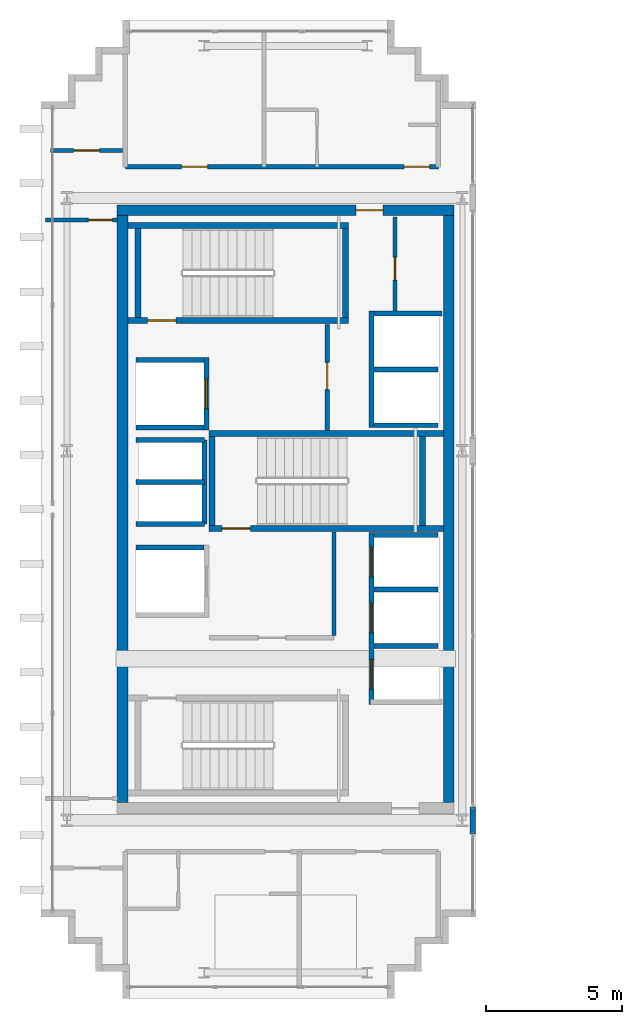
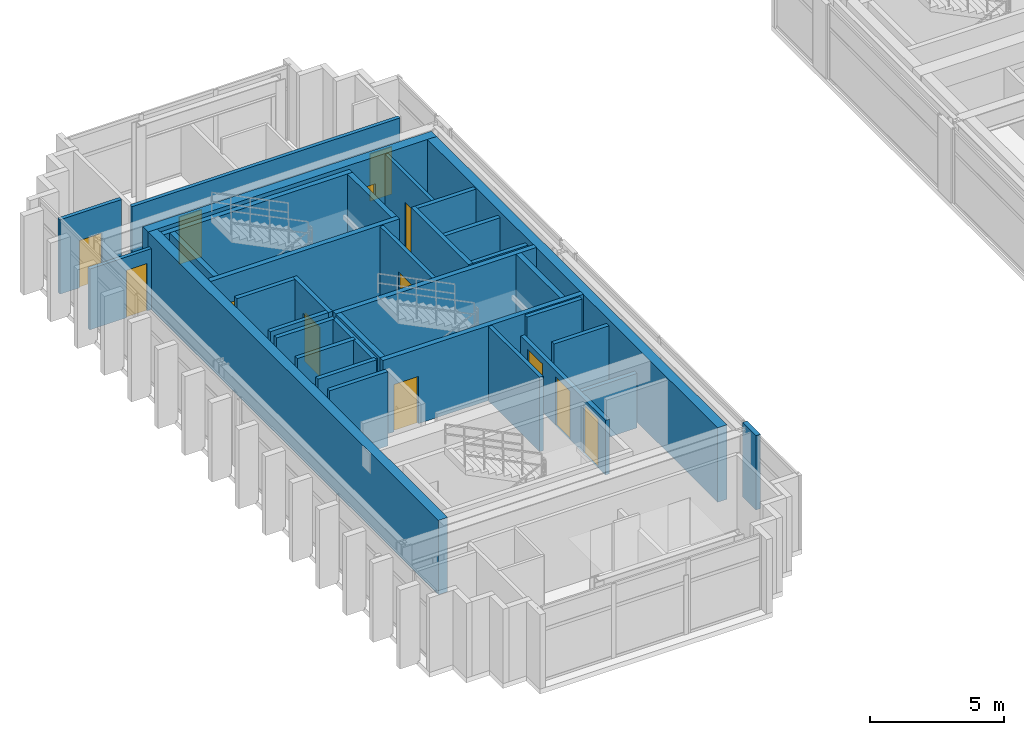
# One storey, part 20 of 25: 34 walls, 13 doors, 13 openings.
"""IFC4 building model written with IfcOpenShell, lengths in metres."""

from ifc_helpers import new_model, si_unit, direction, frame, frame_2d, origin, place, context, subcontext, project, spatial, rectangle, extrude, source, transform, mapped, material, layer, layer_set, type_object, element, fill, save


model = new_model("IFC4")

# Units and contexts
model_context = context("Model", 3, precision=1e-05, world=origin(), true_north=direction((0.0, 1.0)))
body_context = subcontext(model_context, "Body", "Model", "MODEL_VIEW")
ifc_project = project(units=[si_unit("LENGTHUNIT", "METRE"), si_unit("AREAUNIT", "SQUARE_METRE"), si_unit("VOLUMEUNIT", "CUBIC_METRE"), si_unit("PLANEANGLEUNIT", "RADIAN"), si_unit("MASSUNIT", "GRAM", prefix="KILO")], contexts=[model_context])

# Site, building, storey
site_placement = place(None, origin())
site = spatial("IfcSite", under=ifc_project, at=site_placement, CompositionType="ELEMENT")
building_placement = place(site_placement, origin())
building = spatial("IfcBuilding", under=site, at=building_placement, Name="Ocotamira Hotel", CompositionType="ELEMENT")
storey_placement = place(building_placement, frame((0.0, 0.0, 258.0)))
storey = spatial("IfcBuildingStorey", under=building, at=storey_placement, Name="L65", CompositionType="ELEMENT", Elevation=258.0)

# Wall, opening, door
ifc_material_1 = material(Name="Concrete C50/60", Category="concrete")
ifc_layer_1 = layer(ifc_material_1, 0.39990234375)
ifc_layer_set_1 = layer_set([ifc_layer_1], Name="Concrete C50/60")
wall_type_1 = type_object("IfcWallType", Name="WL-CORE-400", PredefinedType="SHEAR", material=ifc_layer_set_1)
wall_1_placement = place(storey_placement, frame((10.800048828125, 37.0, 0.0), z_axis=(0.0, 0.0, 1.0), x_axis=(1.0, 0.0, 0.0)))
wall_1 = element("IfcWall", 1, at=wall_1_placement, inside=storey, type_object=wall_type_1, Name="L65 Shear Core Wall WCORE-N", PredefinedType="SHEAR", context=body_context, shape_type="SweptSolid", body=[
    extrude(rectangle(XDim=12.39990234375, YDim=0.39990234375, at=frame_2d((6.199951171875, 0.0))), origin(), (0.0, 0.0, 1.0), 3.3798828125),
])
opening_1_placement = place(wall_1_placement, frame((8.780029296875, 0.0, 0.0)))
opening_1 = element("IfcOpeningElement", 2, at=opening_1_placement, cuts=wall_1, Name="Opening D-FR2", PredefinedType="OPENING", context=body_context, shape_type="SweptSolid", body=[
    extrude(rectangle(XDim=1.0, YDim=2.14990234375, at=frame_2d((0.5, 1.074951171875))), frame((0.0, 0.2099609375, 0.0), z_axis=(0.0, -1.0, 0.0), x_axis=(1.0, 0.0, 0.0)), (0.0, 0.0, 1.0), 0.419921875),
])
ifc_material_2 = material(Name="Fire-rated acoustic timber-veneer door", Category="wood")
door_type_1 = type_object("IfcDoorType", Name="DR-FIRE-1000", OperationType="NOTDEFINED", PredefinedType="DOOR", material=ifc_material_2)
shared_shape_1 = source(origin(), body_context, "Body", "SweptSolid", [
    extrude(rectangle(XDim=1.0, YDim=2.14990234375, at=frame_2d((0.5, 1.074951171875))), frame((0.0, 0.02490234375, 0.0), z_axis=(0.0, -1.0, 0.0), x_axis=(1.0, 0.0, 0.0)), (0.0, 0.0, 1.0), 0.050048828125),
])
door_1_placement = place(opening_1_placement, origin())
door_1 = element("IfcDoor", 3, at=door_1_placement, inside=storey, type_object=door_type_1, Name="L65 Door ID-L65-WLOB-N-D [ID-L65-WLOB-N-D]", OperationType="SINGLE_SWING_RIGHT", OverallHeight=2.14990234375, OverallWidth=1.0, PredefinedType="DOOR", context=body_context, shape_type="MappedRepresentation", body=[
    mapped(shared_shape_1, transform((0.0, 0.0, 0.0), scale=1.0)),
])
fill(opening_1, door_1)

# Walls
for number, where, z_axis, x_axis, name in (
    (4, (11.0, 15.199951171875, 0.0), (0.0, 0.0, 1.0), (0.0, 1.0, 0.0), "L65 Shear Core Wall WCORE-W"),
    (5, (23.0, 15.199951171875, 0.0), (0.0, 0.0, 1.0), (0.0, 1.0, 0.0), "L65 Shear Core Wall WCORE-E"),
):
    element("IfcWall", number, at=place(storey_placement, frame(where, z_axis=z_axis, x_axis=x_axis)), inside=storey, type_object=wall_type_1, Name=name, PredefinedType="SHEAR", context=body_context, shape_type="SweptSolid", body=[
        extrude(rectangle(XDim=21.60009765625, YDim=0.39990234375, at=frame_2d((10.800048828125, 0.0))), origin(), (0.0, 0.0, 1.0), 3.3798828125),
    ])
ifc_material_3 = material(Name="Acoustic double-layer fire gypsum board partition", Category="gypsum")
ifc_layer_2 = layer(ifc_material_3, 0.159912109375)
ifc_layer_set_2 = layer_set([ifc_layer_2], Name="Acoustic double-layer fire gypsum board partition")
wall_type_2 = type_object("IfcWallType", Name="WL-FIRE-160", PredefinedType="PARTITIONING", material=ifc_layer_set_2)
wall_2_placement = place(storey_placement, frame((18.780029296875, 21.35009765625, 0.0), z_axis=(0.0, 0.0, 1.0), x_axis=(0.0, 1.0, 0.0)))
element("IfcWall", 6, at=wall_2_placement, inside=storey, type_object=wall_type_2, Name="L65 Interior Wall PW-L65-FSAE1-E", PredefinedType="PARTITIONING", context=body_context, shape_type="SweptSolid", body=[
    extrude(rectangle(XDim=3.809814453125, YDim=0.159912109375, at=frame_2d((1.90478515625, 0.0))), origin(), (0.0, 0.0, 1.0), 3.3798828125),
])

# Wall, opening, door
wall_3_placement = place(storey_placement, frame((18.530029296875, 28.89990234375, 0.0), z_axis=(0.0, 0.0, 1.0), x_axis=(0.0, 1.0, 0.0)))
wall_3 = element("IfcWall", 7, at=wall_3_placement, inside=storey, type_object=wall_type_2, Name="L65 Interior Wall PW-L65-FSAE2-E", PredefinedType="PARTITIONING", context=body_context, shape_type="SweptSolid", body=[
    extrude(rectangle(XDim=3.900146484375, YDim=0.159912109375, at=frame_2d((1.9501953125, 0.0))), origin(), (0.0, 0.0, 1.0), 3.3798828125),
])
opening_2_placement = place(wall_3_placement, frame((1.5, 0.0, 0.0)))
opening_2 = element("IfcOpeningElement", 8, at=opening_2_placement, cuts=wall_3, Name="Opening D-FR2", PredefinedType="OPENING", context=body_context, shape_type="SweptSolid", body=[
    extrude(rectangle(XDim=1.0, YDim=2.14990234375, at=frame_2d((0.5, 1.074951171875))), frame((0.0, 0.08984375, 0.0), z_axis=(0.0, -1.0, 0.0), x_axis=(1.0, 0.0, 0.0)), (0.0, 0.0, 1.0), 0.179931640625),
])
door_2_placement = place(opening_2_placement, origin())
door_2 = element("IfcDoor", 9, at=door_2_placement, inside=storey, type_object=door_type_1, Name="L65 Door ID-L65-FSAE2-D [ID-L65-FSAE2-D]", OperationType="SINGLE_SWING_RIGHT", OverallHeight=2.14990234375, OverallWidth=1.0, PredefinedType="DOOR", context=body_context, shape_type="MappedRepresentation", body=[
    mapped(shared_shape_1, transform((0.0, 0.0, 0.0), scale=1.0)),
])
fill(opening_2, door_2)

# Wall, openings, doors
wall_4_placement = place(storey_placement, frame((11.10009765625, 38.60009765625, 0.0), z_axis=(0.0, 0.0, 1.0), x_axis=(1.0, 0.0, 0.0)))
wall_4 = element("IfcWall", 10, at=wall_4_placement, inside=storey, type_object=wall_type_2, Name="L65 Interior Wall PW-L65-SPW1N-CORRW", PredefinedType="PARTITIONING", context=body_context, shape_type="SweptSolid", body=[
    extrude(rectangle(XDim=11.52001953125, YDim=0.159912109375, at=frame_2d((5.760009765625, 0.0))), origin(), (0.0, 0.0, 1.0), 3.3798828125),
])
opening_3_placement = place(wall_4_placement, frame((2.070068359375, 0.0, 0.0)))
opening_3 = element("IfcOpeningElement", 11, at=opening_3_placement, cuts=wall_4, Name="Opening D-SV4", PredefinedType="OPENING", context=body_context, shape_type="SweptSolid", body=[
    extrude(rectangle(XDim=0.9599609375, YDim=2.14990234375, at=frame_2d((0.47998046875, 1.074951171875))), frame((0.0, 0.08984375, 0.0), z_axis=(0.0, -1.0, 0.0), x_axis=(1.0, 0.0, 0.0)), (0.0, 0.0, 1.0), 0.179931640625),
])
opening_4_placement = place(wall_4_placement, frame((10.260009765625, 0.0, 0.0)))
opening_4 = element("IfcOpeningElement", 12, at=opening_4_placement, cuts=wall_4, Name="Opening D-GR1", PredefinedType="OPENING", context=body_context, shape_type="SweptSolid", body=[
    extrude(rectangle(XDim=0.93994140625, YDim=2.14990234375, at=frame_2d((0.469970703125, 1.074951171875))), frame((0.0, 0.08984375, 0.0), z_axis=(0.0, -1.0, 0.0), x_axis=(1.0, 0.0, 0.0)), (0.0, 0.0, 1.0), 0.179931640625),
])
ifc_material_4 = material(Name="Fire-rated accessible walnut salon door", Category="wood")
door_type_2 = type_object("IfcDoorType", Name="DR-SERV-960", OperationType="NOTDEFINED", PredefinedType="DOOR", material=ifc_material_4)
shared_shape_2 = source(origin(), body_context, "Body", "SweptSolid", [
    extrude(rectangle(XDim=0.9599609375, YDim=2.14990234375, at=frame_2d((0.47998046875, 1.074951171875))), frame((0.0, 0.02490234375, 0.0), z_axis=(0.0, -1.0, 0.0), x_axis=(1.0, 0.0, 0.0)), (0.0, 0.0, 1.0), 0.050048828125),
])
door_3_placement = place(opening_3_placement, origin())
door_3 = element("IfcDoor", 13, at=door_3_placement, inside=storey, type_object=door_type_2, Name="L65 Door ID-L65-SPW1N-AMD1 [ID-L65-SPW1N-AMD1]", OperationType="SINGLE_SWING_LEFT", OverallHeight=2.14990234375, OverallWidth=0.9599609375, PredefinedType="DOOR", context=body_context, shape_type="MappedRepresentation", body=[
    mapped(shared_shape_2, transform((0.0, 0.0, 0.0), scale=1.0)),
])
fill(opening_3, door_3)
ifc_material_5 = material(Name="Solid-core walnut suite entrance fire door", Category="wood")
door_type_3 = type_object("IfcDoorType", Name="DR-GUEST-940", OperationType="NOTDEFINED", PredefinedType="DOOR", material=ifc_material_5)
shared_shape_3 = source(origin(), body_context, "Body", "SweptSolid", [
    extrude(rectangle(XDim=0.93994140625, YDim=2.14990234375, at=frame_2d((0.469970703125, 1.074951171875))), frame((0.0, 0.02490234375, 0.0), z_axis=(0.0, -1.0, 0.0), x_axis=(1.0, 0.0, 0.0)), (0.0, 0.0, 1.0), 0.050048828125),
])
door_4_placement = place(opening_4_placement, origin())
door_4 = element("IfcDoor", 14, at=door_4_placement, inside=storey, type_object=door_type_3, Name="L65 Door ID-L65-SPW1N-RMD2 [ID-L65-SPW1N-RMD2]", OperationType="SINGLE_SWING_RIGHT", OverallHeight=2.14990234375, OverallWidth=0.93994140625, PredefinedType="DOOR", context=body_context, shape_type="MappedRepresentation", body=[
    mapped(shared_shape_3, transform((0.0, 0.0, 0.0), scale=1.0)),
])
fill(opening_4, door_4)

# Wall, opening, door
wall_5_placement = place(storey_placement, frame((8.35009765625, 39.199951171875, 0.0), z_axis=(0.0, 0.0, 1.0), x_axis=(1.0, 0.0, 0.0)))
wall_5 = element("IfcWall", 15, at=wall_5_placement, inside=storey, type_object=wall_type_2, Name="L65 Interior Wall PW-L65-SPCNW1-CW", PredefinedType="PARTITIONING", context=body_context, shape_type="SweptSolid", body=[
    extrude(rectangle(XDim=2.64990234375, YDim=0.159912109375, at=frame_2d((1.324951171875, 0.0))), origin(), (0.0, 0.0, 1.0), 3.3798828125),
])
opening_5_placement = place(wall_5_placement, frame((0.844970703125, 0.0, 0.0)))
opening_5 = element("IfcOpeningElement", 16, at=opening_5_placement, cuts=wall_5, Name="Opening D-SV4", PredefinedType="OPENING", context=body_context, shape_type="SweptSolid", body=[
    extrude(rectangle(XDim=0.9599609375, YDim=2.14990234375, at=frame_2d((0.47998046875, 1.074951171875))), frame((0.0, 0.08984375, 0.0), z_axis=(0.0, -1.0, 0.0), x_axis=(1.0, 0.0, 0.0)), (0.0, 0.0, 1.0), 0.179931640625),
])
door_5_placement = place(opening_5_placement, origin())
door_5 = element("IfcDoor", 17, at=door_5_placement, inside=storey, type_object=door_type_2, Name="L65 Door ID-L65-SPCNW1-CD [ID-L65-SPCNW1-CD]", OperationType="SINGLE_SWING_LEFT", OverallHeight=2.14990234375, OverallWidth=0.9599609375, PredefinedType="DOOR", context=body_context, shape_type="MappedRepresentation", body=[
    mapped(shared_shape_2, transform((0.0, 0.0, 0.0), scale=1.0)),
])
fill(opening_5, door_5)

# Wall
ifc_material_6 = material(Name="Precast concrete C45/55", Category="concrete")
ifc_layer_3 = layer(ifc_material_6, 0.219970703125)
ifc_layer_set_3 = layer_set([ifc_layer_3], Name="Precast concrete C45/55")
wall_type_3 = type_object("IfcWallType", Name="WL-PARA-220", PredefinedType="PARAPET", material=ifc_layer_set_3)
wall_6_placement = place(storey_placement, frame((23.8798828125, 14.050048828125, 0.0), z_axis=(0.0, 0.0, 1.0), x_axis=(0.0, 1.0, 0.0)))
element("IfcWall", 18, at=wall_6_placement, inside=storey, type_object=wall_type_3, Name="L65 Split-Wing Column Spandrel Closure W1", PredefinedType="PARAPET", context=body_context, shape_type="SweptSolid", body=[
    extrude(rectangle(XDim=1.0, YDim=0.199951171875, at=frame_2d((0.5, 0.0))), origin(), (0.0, 0.0, 1.0), 3.3798828125),
])

# Wall, opening, door
ifc_material_7 = material(Name="Acoustic hospitality gypsum board partition", Category="gypsum")
ifc_layer_4 = layer(ifc_material_7, 0.14208984375)
ifc_layer_set_4 = layer_set([ifc_layer_4], Name="Acoustic hospitality gypsum board partition")
wall_type_4 = type_object("IfcWallType", Name="WL-PART-142", PredefinedType="PARTITIONING", material=ifc_layer_set_4)
wall_7_placement = place(storey_placement, frame((21.02001953125, 33.280029296875, 0.0), z_axis=(0.0, 0.0, 1.0), x_axis=(0.0, 1.0, 0.0)))
wall_7 = element("IfcWall", 19, at=wall_7_placement, inside=storey, type_object=wall_type_4, Name="L65 Interior Wall PW-L65-WC-NE-W", PredefinedType="PARTITIONING", context=body_context, shape_type="SweptSolid", body=[
    extrude(rectangle(XDim=3.469970703125, YDim=0.14208984375, at=frame_2d((1.73486328125, 0.0))), origin(), (0.0, 0.0, 1.0), 3.3798828125),
])
opening_6_placement = place(wall_7_placement, frame((1.14990234375, 0.0, 0.0)))
opening_6 = element("IfcOpeningElement", 20, at=opening_6_placement, cuts=wall_7, Name="Opening D-SV1", PredefinedType="OPENING", context=body_context, shape_type="SweptSolid", body=[
    extrude(rectangle(XDim=0.840087890625, YDim=2.10009765625, at=frame_2d((0.419921875, 1.050048828125))), frame((0.0, 0.0810546875, 0.0), z_axis=(0.0, -1.0, 0.0), x_axis=(1.0, 0.0, 0.0)), (0.0, 0.0, 1.0), 0.162109375),
])
ifc_material_8 = material(Name="Fire-rated painted steel service door", Category="steel")
door_type_4 = type_object("IfcDoorType", Name="DR-SERV-840", OperationType="NOTDEFINED", PredefinedType="DOOR", material=ifc_material_8)
shared_shape_4 = source(origin(), body_context, "Body", "SweptSolid", [
    extrude(rectangle(XDim=0.840087890625, YDim=2.10009765625, at=frame_2d((0.419921875, 1.050048828125))), frame((0.0, 0.02490234375, 0.0), z_axis=(0.0, -1.0, 0.0), x_axis=(1.0, 0.0, 0.0)), (0.0, 0.0, 1.0), 0.050048828125),
])
door_6_placement = place(opening_6_placement, origin())
door_6 = element("IfcDoor", 21, at=door_6_placement, inside=storey, type_object=door_type_4, Name="L65 Door ID-L65-WC-NE-D [ID-L65-WC-NE-D]", OperationType="SINGLE_SWING_LEFT", OverallHeight=2.10009765625, OverallWidth=0.840087890625, PredefinedType="DOOR", context=body_context, shape_type="MappedRepresentation", body=[
    mapped(shared_shape_4, transform((0.0, 0.0, 0.0), scale=1.0)),
])
fill(opening_6, door_6)

ifc_layer_5 = layer(ifc_material_7, 0.14990234375)
ifc_layer_set_5 = layer_set([ifc_layer_5], Name="Acoustic hospitality gypsum board partition")
wall_type_5 = type_object("IfcWallType", Name="WL-PART-150", PredefinedType="PARTITIONING", material=ifc_layer_set_5)
wall_8_placement = place(storey_placement, frame((8.159912109375, 36.639892578125, 0.0), z_axis=(0.0, 0.0, 1.0), x_axis=(1.0, 0.0, 0.0)))
wall_8 = element("IfcWall", 22, at=wall_8_placement, inside=storey, type_object=wall_type_5, Name="L65 Interior Wall PW-L65-SP1W-WN", PredefinedType="PARTITIONING", context=body_context, shape_type="SweptSolid", body=[
    extrude(rectangle(XDim=2.66015625, YDim=0.14990234375, at=frame_2d((1.330078125, 0.0))), origin(), (0.0, 0.0, 1.0), 2.762939453125),
])
opening_7_placement = place(wall_8_placement, frame((1.580078125, 0.0, 0.0)))
opening_7 = element("IfcOpeningElement", 23, at=opening_7_placement, cuts=wall_8, Name="Opening D-SV2", PredefinedType="OPENING", context=body_context, shape_type="SweptSolid", body=[
    extrude(rectangle(XDim=0.8798828125, YDim=2.14990234375, at=frame_2d((0.43994140625, 1.074951171875))), frame((0.0, 0.0849609375, 0.0), z_axis=(0.0, -1.0, 0.0), x_axis=(1.0, 0.0, 0.0)), (0.0, 0.0, 1.0), 0.169921875),
])
door_type_5 = type_object("IfcDoorType", Name="DR-SERV-880", OperationType="NOTDEFINED", PredefinedType="DOOR", material=ifc_material_8)
shared_shape_5 = source(origin(), body_context, "Body", "SweptSolid", [
    extrude(rectangle(XDim=0.8798828125, YDim=2.14990234375, at=frame_2d((0.43994140625, 1.074951171875))), frame((0.0, 0.02490234375, 0.0), z_axis=(0.0, -1.0, 0.0), x_axis=(1.0, 0.0, 0.0)), (0.0, 0.0, 1.0), 0.050048828125),
])
door_7_placement = place(opening_7_placement, origin())
door_7 = element("IfcDoor", 24, at=door_7_placement, inside=storey, type_object=door_type_5, Name="L65 Door ID-L65-SP1W-DN [ID-L65-SP1W-DN]", OperationType="SINGLE_SWING_RIGHT", OverallHeight=2.14990234375, OverallWidth=0.8798828125, PredefinedType="DOOR", context=body_context, shape_type="MappedRepresentation", body=[
    mapped(shared_shape_5, transform((0.0, 0.0, 0.0), scale=1.0)),
])
fill(opening_7, door_7)

# Wall, openings, doors
ifc_material_9 = material(Name="Fire-rated gypsum shaftliner board assembly", Category="gypsum")
ifc_layer_6 = layer(ifc_material_9, 0.179931640625)
ifc_layer_set_6 = layer_set([ifc_layer_6], Name="Fire-rated gypsum shaftliner board assembly")
wall_type_6 = type_object("IfcWallType", Name="WL-SHAFT-180", PredefinedType="SOLIDWALL", material=ifc_layer_set_6)
wall_9_placement = place(storey_placement, frame((20.159912109375, 18.820068359375, 0.0), z_axis=(0.0, 0.0, 1.0), x_axis=(0.0, 1.0, 0.0)))
wall_9 = element("IfcWall", 25, at=wall_9_placement, inside=storey, type_object=wall_type_6, Name="L65 Interior Wall PW-L65-LFW-BANK-high-F", PredefinedType="SOLIDWALL", context=body_context, shape_type="SweptSolid", body=[
    extrude(rectangle(XDim=6.31982421875, YDim=0.179931640625, at=frame_2d((3.159912109375, 0.0))), origin(), (0.0, 0.0, 1.0), 2.47998046875),
])
opening_8_placement = place(wall_9_placement, frame((0.554931640625, 0.0, 0.0)))
opening_8 = element("IfcOpeningElement", 26, at=opening_8_placement, cuts=wall_9, Name="Opening LD-LF-P7", PredefinedType="OPENING", context=body_context, shape_type="SweptSolid", body=[
    extrude(rectangle(XDim=1.10009765625, YDim=2.199951171875, at=frame_2d((0.550048828125, 1.10009765625))), frame((0.0, 0.10009765625, 0.0), z_axis=(0.0, -1.0, 0.0), x_axis=(1.0, 0.0, 0.0)), (0.0, 0.0, 1.0), 0.199951171875),
])
opening_9_placement = place(wall_9_placement, frame((2.635009765625, 0.0, 0.0)))
opening_9 = element("IfcOpeningElement", 27, at=opening_9_placement, cuts=wall_9, Name="Opening LD-LF-P8", PredefinedType="OPENING", context=body_context, shape_type="SweptSolid", body=[
    extrude(rectangle(XDim=1.10009765625, YDim=2.199951171875, at=frame_2d((0.550048828125, 1.10009765625))), frame((0.0, 0.10009765625, 0.0), z_axis=(0.0, -1.0, 0.0), x_axis=(1.0, 0.0, 0.0)), (0.0, 0.0, 1.0), 0.199951171875),
])
opening_10_placement = place(wall_9_placement, frame((4.68994140625, 0.0, 0.0)))
opening_10 = element("IfcOpeningElement", 28, at=opening_10_placement, cuts=wall_9, Name="Opening LD-LF-P9", PredefinedType="OPENING", context=body_context, shape_type="SweptSolid", body=[
    extrude(rectangle(XDim=1.10009765625, YDim=2.199951171875, at=frame_2d((0.550048828125, 1.10009765625))), frame((0.0, 0.10009765625, 0.0), z_axis=(0.0, -1.0, 0.0), x_axis=(1.0, 0.0, 0.0)), (0.0, 0.0, 1.0), 0.199951171875),
])
ifc_material_10 = material(Name="Brushed pale-metal stainless elevator landing door", Category="steel")
door_type_6 = type_object("IfcDoorType", Name="DR-LIFT-1100", OperationType="NOTDEFINED", PredefinedType="DOOR", material=ifc_material_10)
shared_shape_6 = source(origin(), body_context, "Body", "SweptSolid", [
    extrude(rectangle(XDim=1.10009765625, YDim=2.199951171875, at=frame_2d((0.550048828125, 1.10009765625))), frame((0.0, 0.02490234375, 0.0), z_axis=(0.0, -1.0, 0.0), x_axis=(1.0, 0.0, 0.0)), (0.0, 0.0, 1.0), 0.050048828125),
])
door_8_placement = place(opening_8_placement, origin())
door_8 = element("IfcDoor", 29, at=door_8_placement, inside=storey, type_object=door_type_6, Name="L65 Landing Door LD-LF-P7 [ID-L65-LD-LF-P7]", OperationType="DOUBLE_DOOR_SLIDING", OverallHeight=2.199951171875, OverallWidth=1.10009765625, PredefinedType="DOOR", context=body_context, shape_type="MappedRepresentation", body=[
    mapped(shared_shape_6, transform((0.0, 0.0, 0.0), scale=1.0)),
])
fill(opening_8, door_8)
door_9_placement = place(opening_9_placement, origin())
door_9 = element("IfcDoor", 30, at=door_9_placement, inside=storey, type_object=door_type_6, Name="L65 Landing Door LD-LF-P8 [ID-L65-LD-LF-P8]", OperationType="DOUBLE_DOOR_SLIDING", OverallHeight=2.199951171875, OverallWidth=1.10009765625, PredefinedType="DOOR", context=body_context, shape_type="MappedRepresentation", body=[
    mapped(shared_shape_6, transform((0.0, 0.0, 0.0), scale=1.0)),
])
fill(opening_9, door_9)
door_10_placement = place(opening_10_placement, origin())
door_10 = element("IfcDoor", 31, at=door_10_placement, inside=storey, type_object=door_type_6, Name="L65 Landing Door LD-LF-P9 [ID-L65-LD-LF-P9]", OperationType="DOUBLE_DOOR_SLIDING", OverallHeight=2.199951171875, OverallWidth=1.10009765625, PredefinedType="DOOR", context=body_context, shape_type="MappedRepresentation", body=[
    mapped(shared_shape_6, transform((0.0, 0.0, 0.0), scale=1.0)),
])
fill(opening_10, door_10)

# Walls
wall_10_placement = place(storey_placement, frame((20.25, 25.050048828125, 0.0), z_axis=(0.0, 0.0, 1.0), x_axis=(1.0, 0.0, 0.0)))
element("IfcWall", 32, at=wall_10_placement, inside=storey, type_object=wall_type_6, Name="L65 Interior Wall PW-L65-LFW-BANK-high-N", PredefinedType="SOLIDWALL", context=body_context, shape_type="SweptSolid", body=[
    extrude(rectangle(XDim=2.360107421875, YDim=0.179931640625, at=frame_2d((1.18017578125, 0.0))), origin(), (0.0, 0.0, 1.0), 3.3798828125),
])
wall_11_placement = place(storey_placement, frame((20.25, 20.965087890625, 0.0), z_axis=(0.0, 0.0, 1.0), x_axis=(1.0, 0.0, 0.0)))
element("IfcWall", 33, at=wall_11_placement, inside=storey, type_object=wall_type_6, Name="L65 Interior Wall PW-L65-LFW-DIV-LF-P7", PredefinedType="SOLIDWALL", context=body_context, shape_type="SweptSolid", body=[
    extrude(rectangle(XDim=2.360107421875, YDim=0.179931640625, at=frame_2d((1.18017578125, 0.0))), origin(), (0.0, 0.0, 1.0), 2.47998046875),
])
wall_12_placement = place(storey_placement, frame((20.25, 23.044921875, 0.0), z_axis=(0.0, 0.0, 1.0), x_axis=(1.0, 0.0, 0.0)))
element("IfcWall", 34, at=wall_12_placement, inside=storey, type_object=wall_type_6, Name="L65 Interior Wall PW-L65-LFW-DIV-LF-P8", PredefinedType="SOLIDWALL", context=body_context, shape_type="SweptSolid", body=[
    extrude(rectangle(XDim=2.360107421875, YDim=0.179931640625, at=frame_2d((1.18017578125, 0.0))), origin(), (0.0, 0.0, 1.0), 3.3798828125),
])
wall_13_placement = place(storey_placement, frame((20.159912109375, 29.0, 0.0), z_axis=(0.0, 0.0, 1.0), x_axis=(0.0, 1.0, 0.0)))
element("IfcWall", 35, at=wall_13_placement, inside=storey, type_object=wall_type_6, Name="L65 Interior Wall PW-L65-LFW-BANK-obs-F", PredefinedType="SOLIDWALL", context=body_context, shape_type="SweptSolid", body=[
    extrude(rectangle(XDim=4.2900390625, YDim=0.179931640625, at=frame_2d((2.14501953125, 0.0))), origin(), (0.0, 0.0, 1.0), 3.3798828125),
])
wall_14_placement = place(storey_placement, frame((20.25, 29.090087890625, 0.0), z_axis=(0.0, 0.0, 1.0), x_axis=(1.0, 0.0, 0.0)))
element("IfcWall", 36, at=wall_14_placement, inside=storey, type_object=wall_type_6, Name="L65 Interior Wall PW-L65-LFW-BANK-obs-S", PredefinedType="SOLIDWALL", context=body_context, shape_type="SweptSolid", body=[
    extrude(rectangle(XDim=2.360107421875, YDim=0.179931640625, at=frame_2d((1.18017578125, 0.0))), origin(), (0.0, 0.0, 1.0), 3.3798828125),
])
wall_15_placement = place(storey_placement, frame((20.25, 33.199951171875, 0.0), z_axis=(0.0, 0.0, 1.0), x_axis=(1.0, 0.0, 0.0)))
element("IfcWall", 37, at=wall_15_placement, inside=storey, type_object=wall_type_6, Name="L65 Interior Wall PW-L65-LFW-BANK-obs-N", PredefinedType="SOLIDWALL", context=body_context, shape_type="SweptSolid", body=[
    extrude(rectangle(XDim=2.5, YDim=0.179931640625, at=frame_2d((1.25, 0.0))), origin(), (0.0, 0.0, 1.0), 3.3798828125),
])
wall_16_placement = place(storey_placement, frame((20.25, 31.14501953125, 0.0), z_axis=(0.0, 0.0, 1.0), x_axis=(1.0, 0.0, 0.0)))
element("IfcWall", 38, at=wall_16_placement, inside=storey, type_object=wall_type_6, Name="L65 Interior Wall PW-L65-LFW-DIV-LF-OBS1", PredefinedType="SOLIDWALL", context=body_context, shape_type="SweptSolid", body=[
    extrude(rectangle(XDim=2.360107421875, YDim=0.179931640625, at=frame_2d((1.18017578125, 0.0))), origin(), (0.0, 0.0, 1.0), 3.3798828125),
])
for number, where, z_axis, x_axis, name in (
    (39, (11.5, 24.590087890625, 0.0), (0.0, 0.0, 1.0), (1.0, 0.0, 0.0), "L65 Interior Wall PW-L65-LFW-LF-FSAE1-N"),
    (40, (11.5, 29.010009765625, 0.0), (0.0, 0.0, 1.0), (1.0, 0.0, 0.0), "L65 Interior Wall PW-L65-LFW-LF-FSAE2-S"),
    (41, (11.5, 31.489990234375, 0.0), (0.0, 0.0, 1.0), (1.0, 0.0, 0.0), "L65 Interior Wall PW-L65-LFW-LF-FSAE2-N"),
):
    element("IfcWall", number, at=place(storey_placement, frame(where, z_axis=z_axis, x_axis=x_axis)), inside=storey, type_object=wall_type_6, Name=name, PredefinedType="SOLIDWALL", context=body_context, shape_type="SweptSolid", body=[
        extrude(rectangle(XDim=2.5, YDim=0.179931640625, at=frame_2d((1.25, 0.0))), origin(), (0.0, 0.0, 1.0), 3.3798828125),
    ])

# Wall, opening, door
wall_17_placement = place(storey_placement, frame((14.090087890625, 28.919921875, 0.0), z_axis=(0.0, 0.0, 1.0), x_axis=(0.0, 1.0, 0.0)))
wall_17 = element("IfcWall", 42, at=wall_17_placement, inside=storey, type_object=wall_type_6, Name="L65 Interior Wall PW-L65-LFW-LF-FSAE2-E", PredefinedType="SOLIDWALL", context=body_context, shape_type="SweptSolid", body=[
    extrude(rectangle(XDim=2.66015625, YDim=0.179931640625, at=frame_2d((1.330078125, 0.0))), origin(), (0.0, 0.0, 1.0), 3.3798828125),
])
opening_11_placement = place(wall_17_placement, frame((0.780029296875, 0.0, 0.0)))
opening_11 = element("IfcOpeningElement", 43, at=opening_11_placement, cuts=wall_17, Name="Opening LD-LF-FSAE2", PredefinedType="OPENING", context=body_context, shape_type="SweptSolid", body=[
    extrude(rectangle(XDim=1.10009765625, YDim=2.199951171875, at=frame_2d((0.550048828125, 1.10009765625))), frame((0.0, 0.10009765625, 0.0), z_axis=(0.0, -1.0, 0.0), x_axis=(1.0, 0.0, 0.0)), (0.0, 0.0, 1.0), 0.199951171875),
])
door_11_placement = place(opening_11_placement, origin())
door_11 = element("IfcDoor", 44, at=door_11_placement, inside=storey, type_object=door_type_6, Name="L65 Landing Door LD-LF-FSAE2 [ID-L65-LD-LF-FSAE2]", OperationType="DOUBLE_DOOR_SLIDING", OverallHeight=2.199951171875, OverallWidth=1.10009765625, PredefinedType="DOOR", context=body_context, shape_type="MappedRepresentation", body=[
    mapped(shared_shape_6, transform((0.0, 0.0, 0.0), scale=1.0)),
])
fill(opening_11, door_11)

# Walls
for number, where, z_axis, x_axis, name in (
    (45, (11.5, 25.4599609375, 0.0), (0.0, 0.0, 1.0), (1.0, 0.0, 0.0), "L65 Interior Wall PW-L65-RSW-S"),
    (46, (11.5, 27.0, 0.0), (0.0, 0.0, 1.0), (1.0, 0.0, 0.0), "L65 Interior Wall PW-L65-RSW-MID"),
    (47, (11.5, 28.5400390625, 0.0), (0.0, 0.0, 1.0), (1.0, 0.0, 0.0), "L65 Interior Wall PW-L65-RSW-N"),
):
    element("IfcWall", number, at=place(storey_placement, frame(where, z_axis=z_axis, x_axis=x_axis)), inside=storey, type_object=wall_type_6, Name=name, PredefinedType="SOLIDWALL", context=body_context, shape_type="SweptSolid", body=[
        extrude(rectangle(XDim=2.510009765625, YDim=0.179931640625, at=frame_2d((1.2548828125, 0.0))), origin(), (0.0, 0.0, 1.0), 3.3798828125),
    ])
wall_18_placement = place(storey_placement, frame((14.010009765625, 25.4599609375, 0.0), z_axis=(0.0, 0.0, 1.0), x_axis=(0.0, 1.0, 0.0)))
element("IfcWall", 48, at=wall_18_placement, inside=storey, type_object=wall_type_6, Name="L65 Interior Wall PW-L65-RSW-E", PredefinedType="SOLIDWALL", context=body_context, shape_type="SweptSolid", body=[
    extrude(rectangle(XDim=3.080078125, YDim=0.179931640625, at=frame_2d((1.5400390625, 0.0))), origin(), (0.0, 0.0, 1.0), 3.3798828125),
])

# Wall, opening, door
ifc_layer_7 = layer(ifc_material_1, 0.219970703125)
ifc_layer_set_7 = layer_set([ifc_layer_7], Name="Concrete C50/60")
wall_type_7 = type_object("IfcWallType", Name="WL-STAIR-220", PredefinedType="SHEAR", material=ifc_layer_set_7)
wall_19_placement = place(storey_placement, frame((11.199951171875, 32.93994140625, 0.0), z_axis=(0.0, 0.0, 1.0), x_axis=(1.0, 0.0, 0.0)))
wall_19 = element("IfcWall", 49, at=wall_19_placement, inside=storey, type_object=wall_type_7, Name="L65 Stair Shaft Structural Wall ST-2-S", PredefinedType="SHEAR", context=body_context, shape_type="SweptSolid", body=[
    extrude(rectangle(XDim=8.110107421875, YDim=0.219970703125, at=frame_2d((4.05517578125, 0.0))), origin(), (0.0, 0.0, 1.0), 3.39990234375),
])
opening_12_placement = place(wall_19_placement, frame((0.719970703125, 0.0, 0.0)))
opening_12 = element("IfcOpeningElement", 50, at=opening_12_placement, cuts=wall_19, Name="Opening D-ST2", PredefinedType="OPENING", context=body_context, shape_type="SweptSolid", body=[
    extrude(rectangle(XDim=1.050048828125, YDim=2.14990234375, at=frame_2d((0.52490234375, 1.074951171875))), frame((0.0, 0.1201171875, 0.0), z_axis=(0.0, -1.0, 0.0), x_axis=(1.0, 0.0, 0.0)), (0.0, 0.0, 1.0), 0.239990234375),
])
ifc_material_11 = material(Name="Insulated painted hollow-metal fire exit door", Category="steel")
door_type_7 = type_object("IfcDoorType", Name="DR-STAIR-1050", OperationType="NOTDEFINED", PredefinedType="DOOR", material=ifc_material_11)
shared_shape_7 = source(origin(), body_context, "Body", "SweptSolid", [
    extrude(rectangle(XDim=1.050048828125, YDim=2.14990234375, at=frame_2d((0.52490234375, 1.074951171875))), frame((0.0, 0.02490234375, 0.0), z_axis=(0.0, -1.0, 0.0), x_axis=(1.0, 0.0, 0.0)), (0.0, 0.0, 1.0), 0.050048828125),
])
door_12_placement = place(opening_12_placement, origin())
door_12 = element("IfcDoor", 51, at=door_12_placement, inside=storey, type_object=door_type_7, Name="L65 Door ID-L65-STD-ST-2 [ID-L65-STD-ST-2]", OperationType="SINGLE_SWING_LEFT", OverallHeight=2.14990234375, OverallWidth=1.050048828125, PredefinedType="DOOR", context=body_context, shape_type="MappedRepresentation", body=[
    mapped(shared_shape_7, transform((0.0, 0.0, 0.0), scale=1.0)),
])
fill(opening_12, door_12)

# Walls
wall_20_placement = place(storey_placement, frame((11.199951171875, 36.43994140625, 0.0), z_axis=(0.0, 0.0, 1.0), x_axis=(1.0, 0.0, 0.0)))
element("IfcWall", 52, at=wall_20_placement, inside=storey, type_object=wall_type_7, Name="L65 Stair Shaft Structural Wall ST-2-N", PredefinedType="SHEAR", context=body_context, shape_type="SweptSolid", body=[
    extrude(rectangle(XDim=8.110107421875, YDim=0.219970703125, at=frame_2d((4.05517578125, 0.0))), origin(), (0.0, 0.0, 1.0), 3.39990234375),
])
for number, where, z_axis, x_axis, name in (
    (53, (11.56005859375, 33.050048828125, 0.0), (0.0, 0.0, 1.0), (0.0, 1.0, 0.0), "L65 Stair Shaft Structural Wall ST-2-W"),
    (54, (19.199951171875, 33.050048828125, 0.0), (0.0, 0.0, 1.0), (0.0, 1.0, 0.0), "L65 Stair Shaft Structural Wall ST-2-E"),
):
    element("IfcWall", number, at=place(storey_placement, frame(where, z_axis=z_axis, x_axis=x_axis)), inside=storey, type_object=wall_type_7, Name=name, PredefinedType="SHEAR", context=body_context, shape_type="SweptSolid", body=[
        extrude(rectangle(XDim=3.280029296875, YDim=0.219970703125, at=frame_2d((1.64013671875, 0.0))), origin(), (0.0, 0.0, 1.0), 3.39990234375),
    ])

# Wall, opening, door
wall_21_placement = place(storey_placement, frame((14.179931640625, 25.2900390625, 0.0), z_axis=(0.0, 0.0, 1.0), x_axis=(1.0, 0.0, 0.0)))
wall_21 = element("IfcWall", 55, at=wall_21_placement, inside=storey, type_object=wall_type_7, Name="L65 Stair Shaft Structural Wall ST-3-S", PredefinedType="SHEAR", context=body_context, shape_type="SweptSolid", body=[
    extrude(rectangle(XDim=8.6201171875, YDim=0.219970703125, at=frame_2d((4.31005859375, 0.0))), origin(), (0.0, 0.0, 1.0), 3.39990234375),
])
opening_13_placement = place(wall_21_placement, frame((0.469970703125, 0.0, 0.0)))
opening_13 = element("IfcOpeningElement", 56, at=opening_13_placement, cuts=wall_21, Name="Opening D-ST2", PredefinedType="OPENING", context=body_context, shape_type="SweptSolid", body=[
    extrude(rectangle(XDim=1.050048828125, YDim=2.14990234375, at=frame_2d((0.52490234375, 1.074951171875))), frame((0.0, 0.1201171875, 0.0), z_axis=(0.0, -1.0, 0.0), x_axis=(1.0, 0.0, 0.0)), (0.0, 0.0, 1.0), 0.239990234375),
])
door_13_placement = place(opening_13_placement, origin())
door_13 = element("IfcDoor", 57, at=door_13_placement, inside=storey, type_object=door_type_7, Name="L65 Door ID-L65-STD-ST-3 [ID-L65-STD-ST-3]", OperationType="SINGLE_SWING_RIGHT", OverallHeight=2.14990234375, OverallWidth=1.050048828125, PredefinedType="DOOR", context=body_context, shape_type="MappedRepresentation", body=[
    mapped(shared_shape_7, transform((0.0, 0.0, 0.0), scale=1.0)),
])
fill(opening_13, door_13)

# Walls
wall_22_placement = place(storey_placement, frame((14.179931640625, 28.7900390625, 0.0), z_axis=(0.0, 0.0, 1.0), x_axis=(1.0, 0.0, 0.0)))
element("IfcWall", 58, at=wall_22_placement, inside=storey, type_object=wall_type_7, Name="L65 Stair Shaft Structural Wall ST-3-N", PredefinedType="SHEAR", context=body_context, shape_type="SweptSolid", body=[
    extrude(rectangle(XDim=8.6201171875, YDim=0.219970703125, at=frame_2d((4.31005859375, 0.0))), origin(), (0.0, 0.0, 1.0), 3.39990234375),
])
for number, where, z_axis, x_axis, name in (
    (59, (14.2900390625, 25.39990234375, 0.0), (0.0, 0.0, 1.0), (0.0, 1.0, 0.0), "L65 Stair Shaft Structural Wall ST-3-W"),
    (60, (22.030029296875, 25.39990234375, 0.0), (0.0, 0.0, 1.0), (0.0, 1.0, 0.0), "L65 Stair Shaft Structural Wall ST-3-E"),
):
    element("IfcWall", number, at=place(storey_placement, frame(where, z_axis=z_axis, x_axis=x_axis)), inside=storey, type_object=wall_type_7, Name=name, PredefinedType="SHEAR", context=body_context, shape_type="SweptSolid", body=[
        extrude(rectangle(XDim=3.280029296875, YDim=0.219970703125, at=frame_2d((1.64013671875, 0.0))), origin(), (0.0, 0.0, 1.0), 3.39990234375),
    ])

save(model, "model.ifc")
